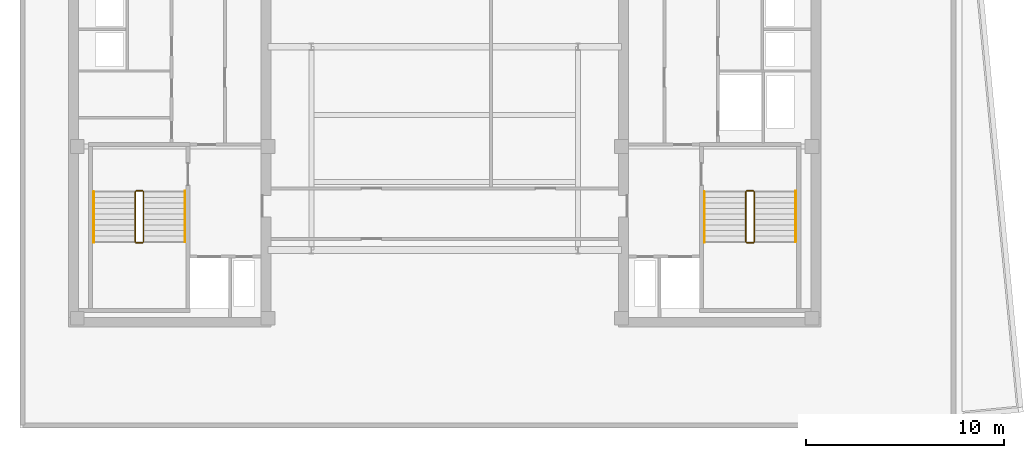
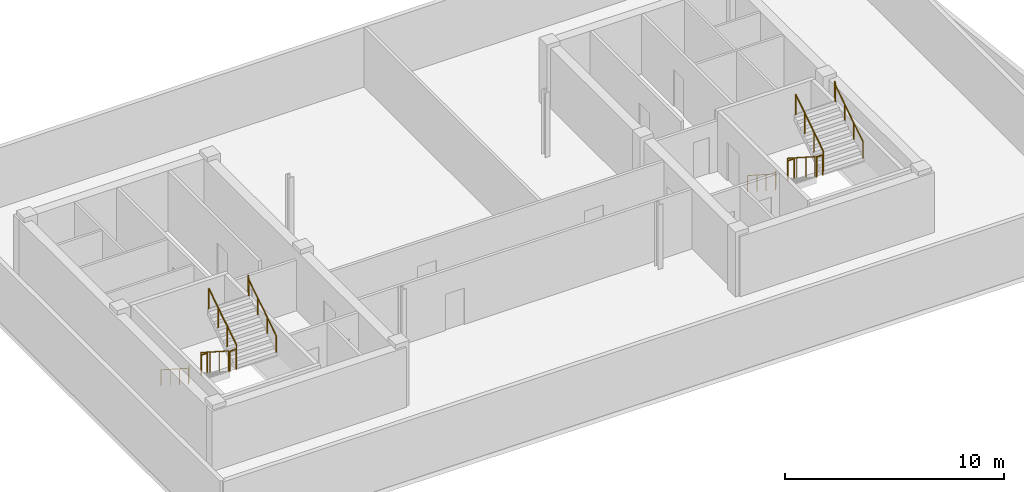
# One storey, part 5 of 6: 12 railings.
"""IFC4 building model written with IfcOpenShell, lengths in metres."""

from ifc_helpers import new_model, si_unit, direction, frame, origin, origin_2d, place, context, subcontext, project, spatial, circle, extrude, material, type_object, element, save


model = new_model("IFC4")

# Units and contexts
model_context = context("Model", 3, precision=1e-05, world=origin(), true_north=direction((0.0, 1.0)))
body_context = subcontext(model_context, "Body", "Model", "MODEL_VIEW")
ifc_project = project(units=[si_unit("LENGTHUNIT", "METRE"), si_unit("AREAUNIT", "SQUARE_METRE"), si_unit("VOLUMEUNIT", "CUBIC_METRE"), si_unit("PLANEANGLEUNIT", "RADIAN"), si_unit("MASSUNIT", "GRAM", prefix="KILO")], contexts=[model_context])

# Site, building, storey
site_placement = place(None, origin())
site = spatial("IfcSite", under=ifc_project, at=site_placement, CompositionType="ELEMENT")
building_placement = place(site_placement, origin())
building = spatial("IfcBuilding", under=site, at=building_placement, Name="Velakula Bourse", CompositionType="ELEMENT")
storey_placement = place(building_placement, frame((0.0, 0.0, 290.550048828125)))
storey = spatial("IfcBuildingStorey", under=building, at=storey_placement, Name="L79", CompositionType="ELEMENT", Elevation=290.550048828125)

# Railings
ifc_material = material(Name="Brushed grade 316 stainless steel", Category="steel")
railing_type_1 = type_object("IfcRailingType", Name="RLG-STAIR-GUARD-1150", PredefinedType="BALUSTRADE", material=ifc_material)
railing_1_placement = place(storey_placement, frame((-15.672119140625, -2.199951171875, 0.179931640625)))
element("IfcRailing", 1, at=railing_1_placement, inside=storey, type_object=railing_type_1, Name="L79 ST-W1 stair guard 1", PredefinedType="BALUSTRADE", context=body_context, shape_type="SweptSolid", body=[
    extrude(circle(Radius=0.02490234375, at=origin_2d()), frame((0.0, 0.0, 1.125), z_axis=(0.0, -0.841162588446, 0.540782303519), x_axis=(1.0, 0.0, 0.0)), (0.0, 0.0, 1.0), 2.995849609375),
    extrude(circle(Radius=0.02099609375, at=origin_2d()), origin(), (0.0, 0.0, 1.0), 1.099853515625),
    extrude(circle(Radius=0.02099609375, at=origin_2d()), frame((0.0, -0.840087890625, 0.5400390625)), (0.0, 0.0, 1.0), 1.099853515625),
    extrude(circle(Radius=0.02099609375, at=origin_2d()), frame((0.0, -1.679931640625, 1.080078125)), (0.0, 0.0, 1.0), 1.099853515625),
    extrude(circle(Radius=0.02099609375, at=origin_2d()), frame((0.0, -2.52001953125, 1.6201171875)), (0.0, 0.0, 1.0), 1.099853515625),
])
railing_2_placement = place(storey_placement, frame((-15.6220703125, -4.77001953125, 1.800048828125)))
element("IfcRailing", 2, at=railing_2_placement, inside=storey, type_object=railing_type_1, Name="L79 ST-W1 stair guard 2", PredefinedType="BALUSTRADE", context=body_context, shape_type="SweptSolid", body=[
    extrude(circle(Radius=0.02490234375, at=origin_2d()), frame((0.0, 0.0, 1.125), z_axis=(1.0, 0.0, 0.0), x_axis=(0.0, 1.0, 0.0)), (0.0, 0.0, 1.0), 0.323974609375),
    extrude(circle(Radius=0.02099609375, at=origin_2d()), origin(), (0.0, 0.0, 1.0), 1.099853515625),
    extrude(circle(Radius=0.02099609375, at=origin_2d()), frame((0.323974609375, 0.0, 0.0)), (0.0, 0.0, 1.0), 1.099853515625),
])
railing_3_placement = place(storey_placement, frame((-15.248046875, -4.719970703125, 1.97998046875)))
element("IfcRailing", 3, at=railing_3_placement, inside=storey, type_object=railing_type_1, Name="L79 ST-W1 stair guard 3", PredefinedType="BALUSTRADE", context=body_context, shape_type="SweptSolid", body=[
    extrude(circle(Radius=0.02490234375, at=origin_2d()), frame((0.0, 0.0, 1.125), z_axis=(0.0, 0.841199657755, 0.540724639528), x_axis=(-1.0, 0.0, 0.0)), (0.0, 0.0, 1.0), 2.995849609375),
    extrude(circle(Radius=0.02099609375, at=origin_2d()), origin(), (0.0, 0.0, 1.0), 1.099853515625),
    extrude(circle(Radius=0.02099609375, at=origin_2d()), frame((0.0, 0.840087890625, 0.5400390625)), (0.0, 0.0, 1.0), 1.099853515625),
    extrude(circle(Radius=0.02099609375, at=origin_2d()), frame((0.0, 1.679931640625, 1.079833984375)), (0.0, 0.0, 1.0), 1.099853515625),
    extrude(circle(Radius=0.02099609375, at=origin_2d()), frame((0.0, 2.52001953125, 1.619873046875)), (0.0, 0.0, 1.0), 1.099853515625),
])
railing_4_placement = place(storey_placement, frame((-15.6220703125, -2.14990234375, 0.0)))
element("IfcRailing", 4, at=railing_4_placement, inside=storey, type_object=railing_type_1, Name="L79 ST-W1 stair guard 4", PredefinedType="BALUSTRADE", context=body_context, shape_type="SweptSolid", body=[
    extrude(circle(Radius=0.02490234375, at=origin_2d()), frame((0.0, 0.0, 1.125), z_axis=(1.0, 0.0, 0.0), x_axis=(0.0, 1.0, 0.0)), (0.0, 0.0, 1.0), 0.323974609375),
    extrude(circle(Radius=0.02099609375, at=origin_2d()), origin(), (0.0, 0.0, 1.0), 1.099853515625),
    extrude(circle(Radius=0.02099609375, at=origin_2d()), frame((0.323974609375, 0.0, 0.0)), (0.0, 0.0, 1.0), 1.099853515625),
])
railing_5_placement = place(storey_placement, frame((15.248046875, -2.199951171875, 0.179931640625)))
element("IfcRailing", 5, at=railing_5_placement, inside=storey, type_object=railing_type_1, Name="L79 ST-E1 stair guard 1", PredefinedType="BALUSTRADE", context=body_context, shape_type="SweptSolid", body=[
    extrude(circle(Radius=0.02490234375, at=origin_2d()), frame((0.0, 0.0, 1.125), z_axis=(0.0, -0.841162588446, 0.540782303519), x_axis=(1.0, 0.0, 0.0)), (0.0, 0.0, 1.0), 2.995849609375),
    extrude(circle(Radius=0.02099609375, at=origin_2d()), origin(), (0.0, 0.0, 1.0), 1.099853515625),
    extrude(circle(Radius=0.02099609375, at=origin_2d()), frame((0.0, -0.840087890625, 0.5400390625)), (0.0, 0.0, 1.0), 1.099853515625),
    extrude(circle(Radius=0.02099609375, at=origin_2d()), frame((0.0, -1.679931640625, 1.080078125)), (0.0, 0.0, 1.0), 1.099853515625),
    extrude(circle(Radius=0.02099609375, at=origin_2d()), frame((0.0, -2.52001953125, 1.6201171875)), (0.0, 0.0, 1.0), 1.099853515625),
])
railing_6_placement = place(storey_placement, frame((15.298095703125, -4.77001953125, 1.800048828125)))
element("IfcRailing", 6, at=railing_6_placement, inside=storey, type_object=railing_type_1, Name="L79 ST-E1 stair guard 2", PredefinedType="BALUSTRADE", context=body_context, shape_type="SweptSolid", body=[
    extrude(circle(Radius=0.02490234375, at=origin_2d()), frame((0.0, 0.0, 1.125), z_axis=(1.0, 0.0, 0.0), x_axis=(0.0, 1.0, 0.0)), (0.0, 0.0, 1.0), 0.323974609375),
    extrude(circle(Radius=0.02099609375, at=origin_2d()), origin(), (0.0, 0.0, 1.0), 1.099853515625),
    extrude(circle(Radius=0.02099609375, at=origin_2d()), frame((0.323974609375, 0.0, 0.0)), (0.0, 0.0, 1.0), 1.099853515625),
])
railing_7_placement = place(storey_placement, frame((15.672119140625, -4.719970703125, 1.97998046875)))
element("IfcRailing", 7, at=railing_7_placement, inside=storey, type_object=railing_type_1, Name="L79 ST-E1 stair guard 3", PredefinedType="BALUSTRADE", context=body_context, shape_type="SweptSolid", body=[
    extrude(circle(Radius=0.02490234375, at=origin_2d()), frame((0.0, 0.0, 1.125), z_axis=(0.0, 0.841199657755, 0.540724639528), x_axis=(-1.0, 0.0, 0.0)), (0.0, 0.0, 1.0), 2.995849609375),
    extrude(circle(Radius=0.02099609375, at=origin_2d()), origin(), (0.0, 0.0, 1.0), 1.099853515625),
    extrude(circle(Radius=0.02099609375, at=origin_2d()), frame((0.0, 0.840087890625, 0.5400390625)), (0.0, 0.0, 1.0), 1.099853515625),
    extrude(circle(Radius=0.02099609375, at=origin_2d()), frame((0.0, 1.679931640625, 1.079833984375)), (0.0, 0.0, 1.0), 1.099853515625),
    extrude(circle(Radius=0.02099609375, at=origin_2d()), frame((0.0, 2.52001953125, 1.619873046875)), (0.0, 0.0, 1.0), 1.099853515625),
])
railing_8_placement = place(storey_placement, frame((15.298095703125, -2.14990234375, 0.0)))
element("IfcRailing", 8, at=railing_8_placement, inside=storey, type_object=railing_type_1, Name="L79 ST-E1 stair guard 4", PredefinedType="BALUSTRADE", context=body_context, shape_type="SweptSolid", body=[
    extrude(circle(Radius=0.02490234375, at=origin_2d()), frame((0.0, 0.0, 1.125), z_axis=(1.0, 0.0, 0.0), x_axis=(0.0, 1.0, 0.0)), (0.0, 0.0, 1.0), 0.323974609375),
    extrude(circle(Radius=0.02099609375, at=origin_2d()), origin(), (0.0, 0.0, 1.0), 1.099853515625),
    extrude(circle(Radius=0.02099609375, at=origin_2d()), frame((0.323974609375, 0.0, 0.0)), (0.0, 0.0, 1.0), 1.099853515625),
])
railing_type_2 = type_object("IfcRailingType", Name="RLG-STAIR-HAND-920", PredefinedType="HANDRAIL", material=ifc_material)
railing_9_placement = place(storey_placement, frame((-17.77001953125, -2.199951171875, 0.179931640625)))
element("IfcRailing", 9, at=railing_9_placement, inside=storey, type_object=railing_type_2, Name="L79 ST-W1 stair handrail 1", PredefinedType="HANDRAIL", context=body_context, shape_type="SweptSolid", body=[
    extrude(circle(Radius=0.02099609375, at=origin_2d()), frame((0.0, 0.0, 0.89892578125), z_axis=(0.0, -0.841162588446, 0.540782303519), x_axis=(1.0, 0.0, 0.0)), (0.0, 0.0, 1.0), 2.995849609375),
    extrude(circle(Radius=0.02099609375, at=origin_2d()), frame((0.0, -2.52001953125, 2.51904296875), z_axis=(0.0, -0.217210922078, 0.976124692511), x_axis=(1.0, 0.0, 0.0)), (0.0, 0.0, 1.0), 0.184326171875),
    extrude(circle(Radius=0.02099609375, at=origin_2d()), frame((0.0, -2.56005859375, 2.698974609375), z_axis=(0.0, -1.0, 0.0), x_axis=(1.0, 0.0, 0.0)), (0.0, 0.0, 1.0), 0.0048828125),
    extrude(circle(Radius=0.02099609375, at=origin_2d()), origin(), (0.0, 0.0, 1.0), 0.8779296875),
    extrude(circle(Radius=0.02099609375, at=origin_2d()), frame((0.0, -0.840087890625, 0.5400390625)), (0.0, 0.0, 1.0), 0.8779296875),
    extrude(circle(Radius=0.02099609375, at=origin_2d()), frame((0.0, -1.679931640625, 1.080078125)), (0.0, 0.0, 1.0), 0.8779296875),
    extrude(circle(Radius=0.02099609375, at=origin_2d()), frame((0.0, -2.52001953125, 1.6201171875)), (0.0, 0.0, 1.0), 0.8779296875),
    extrude(circle(Radius=0.02099609375, at=origin_2d()), frame((0.0, -2.56005859375, 1.800048828125)), (0.0, 0.0, 1.0), 0.8779296875),
    extrude(circle(Radius=0.02099609375, at=origin_2d()), frame((0.0, -2.56494140625, 1.800048828125)), (0.0, 0.0, 1.0), 0.8779296875),
])
railing_10_placement = place(storey_placement, frame((-13.14990234375, -4.719970703125, 1.97998046875)))
element("IfcRailing", 10, at=railing_10_placement, inside=storey, type_object=railing_type_2, Name="L79 ST-W1 stair handrail 2", PredefinedType="HANDRAIL", context=body_context, shape_type="SweptSolid", body=[
    extrude(circle(Radius=0.02099609375, at=origin_2d()), frame((0.0, 0.0, 0.89892578125), z_axis=(0.0, 0.841199657755, 0.540724639528), x_axis=(-1.0, 0.0, 0.0)), (0.0, 0.0, 1.0), 2.995849609375),
    extrude(circle(Radius=0.02099609375, at=origin_2d()), frame((0.0, 2.52001953125, 2.518798828125), z_axis=(0.0, 0.216930457819, 0.976187060184), x_axis=(-1.0, 0.0, 0.0)), (0.0, 0.0, 1.0), 0.1845703125),
    extrude(circle(Radius=0.02099609375, at=origin_2d()), frame((0.0, 2.56005859375, 2.698974609375), z_axis=(0.0, 1.0, 0.0), x_axis=(-1.0, 0.0, 0.0)), (0.0, 0.0, 1.0), 0.0048828125),
    extrude(circle(Radius=0.02099609375, at=origin_2d()), origin(), (0.0, 0.0, 1.0), 0.8779296875),
    extrude(circle(Radius=0.02099609375, at=origin_2d()), frame((0.0, 0.840087890625, 0.5400390625)), (0.0, 0.0, 1.0), 0.8779296875),
    extrude(circle(Radius=0.02099609375, at=origin_2d()), frame((0.0, 1.679931640625, 1.079833984375)), (0.0, 0.0, 1.0), 0.8779296875),
    extrude(circle(Radius=0.02099609375, at=origin_2d()), frame((0.0, 2.52001953125, 1.619873046875)), (0.0, 0.0, 1.0), 0.8779296875),
    extrude(circle(Radius=0.02099609375, at=origin_2d()), frame((0.0, 2.56005859375, 1.800048828125)), (0.0, 0.0, 1.0), 0.8779296875),
    extrude(circle(Radius=0.02099609375, at=origin_2d()), frame((0.0, 2.56494140625, 1.800048828125)), (0.0, 0.0, 1.0), 0.8779296875),
])
railing_11_placement = place(storey_placement, frame((13.14990234375, -2.199951171875, 0.179931640625)))
element("IfcRailing", 11, at=railing_11_placement, inside=storey, type_object=railing_type_2, Name="L79 ST-E1 stair handrail 1", PredefinedType="HANDRAIL", context=body_context, shape_type="SweptSolid", body=[
    extrude(circle(Radius=0.02099609375, at=origin_2d()), frame((0.0, 0.0, 0.89892578125), z_axis=(0.0, -0.841162588446, 0.540782303519), x_axis=(1.0, 0.0, 0.0)), (0.0, 0.0, 1.0), 2.995849609375),
    extrude(circle(Radius=0.02099609375, at=origin_2d()), frame((0.0, -2.52001953125, 2.51904296875), z_axis=(0.0, -0.217210922078, 0.976124692511), x_axis=(1.0, 0.0, 0.0)), (0.0, 0.0, 1.0), 0.184326171875),
    extrude(circle(Radius=0.02099609375, at=origin_2d()), frame((0.0, -2.56005859375, 2.698974609375), z_axis=(0.0, -1.0, 0.0), x_axis=(1.0, 0.0, 0.0)), (0.0, 0.0, 1.0), 0.0048828125),
    extrude(circle(Radius=0.02099609375, at=origin_2d()), origin(), (0.0, 0.0, 1.0), 0.8779296875),
    extrude(circle(Radius=0.02099609375, at=origin_2d()), frame((0.0, -0.840087890625, 0.5400390625)), (0.0, 0.0, 1.0), 0.8779296875),
    extrude(circle(Radius=0.02099609375, at=origin_2d()), frame((0.0, -1.679931640625, 1.080078125)), (0.0, 0.0, 1.0), 0.8779296875),
    extrude(circle(Radius=0.02099609375, at=origin_2d()), frame((0.0, -2.52001953125, 1.6201171875)), (0.0, 0.0, 1.0), 0.8779296875),
    extrude(circle(Radius=0.02099609375, at=origin_2d()), frame((0.0, -2.56005859375, 1.800048828125)), (0.0, 0.0, 1.0), 0.8779296875),
    extrude(circle(Radius=0.02099609375, at=origin_2d()), frame((0.0, -2.56494140625, 1.800048828125)), (0.0, 0.0, 1.0), 0.8779296875),
])
railing_12_placement = place(storey_placement, frame((17.77001953125, -4.719970703125, 1.97998046875)))
element("IfcRailing", 12, at=railing_12_placement, inside=storey, type_object=railing_type_2, Name="L79 ST-E1 stair handrail 2", PredefinedType="HANDRAIL", context=body_context, shape_type="SweptSolid", body=[
    extrude(circle(Radius=0.02099609375, at=origin_2d()), frame((0.0, 0.0, 0.89892578125), z_axis=(0.0, 0.841199657755, 0.540724639528), x_axis=(-1.0, 0.0, 0.0)), (0.0, 0.0, 1.0), 2.995849609375),
    extrude(circle(Radius=0.02099609375, at=origin_2d()), frame((0.0, 2.52001953125, 2.518798828125), z_axis=(0.0, 0.216930457819, 0.976187060184), x_axis=(-1.0, 0.0, 0.0)), (0.0, 0.0, 1.0), 0.1845703125),
    extrude(circle(Radius=0.02099609375, at=origin_2d()), frame((0.0, 2.56005859375, 2.698974609375), z_axis=(0.0, 1.0, 0.0), x_axis=(-1.0, 0.0, 0.0)), (0.0, 0.0, 1.0), 0.0048828125),
    extrude(circle(Radius=0.02099609375, at=origin_2d()), origin(), (0.0, 0.0, 1.0), 0.8779296875),
    extrude(circle(Radius=0.02099609375, at=origin_2d()), frame((0.0, 0.840087890625, 0.5400390625)), (0.0, 0.0, 1.0), 0.8779296875),
    extrude(circle(Radius=0.02099609375, at=origin_2d()), frame((0.0, 1.679931640625, 1.079833984375)), (0.0, 0.0, 1.0), 0.8779296875),
    extrude(circle(Radius=0.02099609375, at=origin_2d()), frame((0.0, 2.52001953125, 1.619873046875)), (0.0, 0.0, 1.0), 0.8779296875),
    extrude(circle(Radius=0.02099609375, at=origin_2d()), frame((0.0, 2.56005859375, 1.800048828125)), (0.0, 0.0, 1.0), 0.8779296875),
    extrude(circle(Radius=0.02099609375, at=origin_2d()), frame((0.0, 2.56494140625, 1.800048828125)), (0.0, 0.0, 1.0), 0.8779296875),
])

save(model, "model.ifc")
